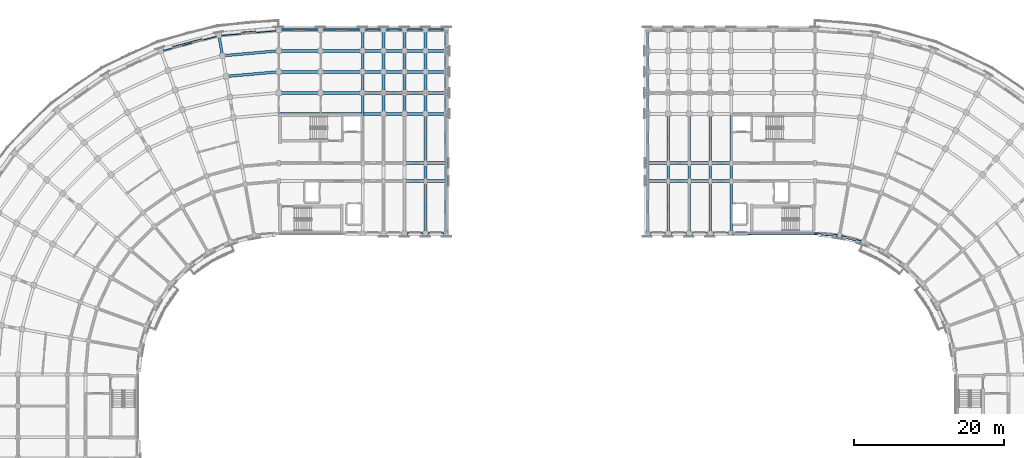
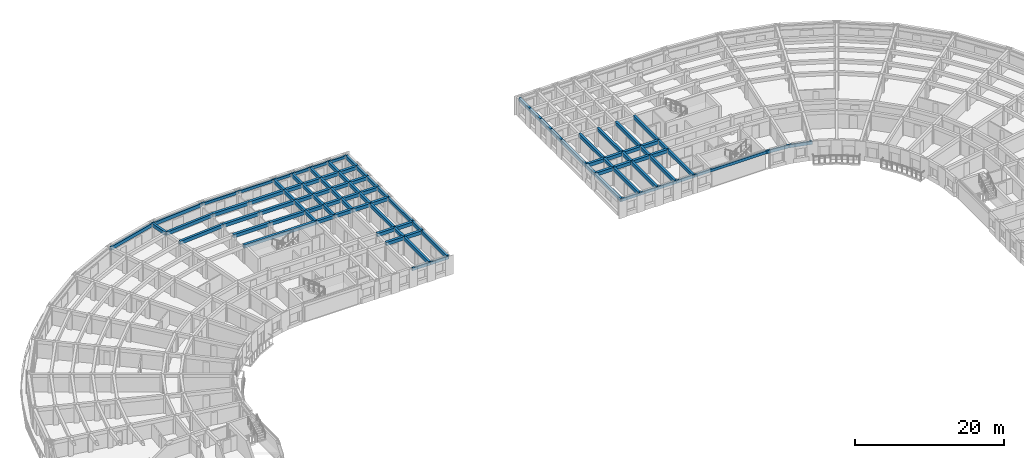
# One storey, part 10 of 57: 100 beams.
"""IFC4 building model written with IfcOpenShell, lengths in metres."""

from ifc_helpers import new_model, si_unit, direction, frame, origin, origin_2d, place, context, subcontext, project, spatial, rectangle, extrude, material, material_profile, profile_set, type_object, element, save


model = new_model("IFC4")

# Units and contexts
model_context = context("Model", 3, precision=1e-05, world=origin(), true_north=direction((0.0, 1.0)))
body_context = subcontext(model_context, "Body", "Model", "MODEL_VIEW")
ifc_project = project(units=[si_unit("LENGTHUNIT", "METRE"), si_unit("AREAUNIT", "SQUARE_METRE"), si_unit("VOLUMEUNIT", "CUBIC_METRE"), si_unit("PLANEANGLEUNIT", "RADIAN"), si_unit("MASSUNIT", "GRAM", prefix="KILO")], contexts=[model_context])

# Site, building, storey
site_placement = place(None, origin())
site = spatial("IfcSite", under=ifc_project, at=site_placement, CompositionType="ELEMENT")
building_placement = place(site_placement, origin())
building = spatial("IfcBuilding", under=site, at=building_placement, Name="Kiranvali Square Residences", CompositionType="ELEMENT")
storey_placement = place(building_placement, frame((0.0, 0.0, 24.449951171875)))
storey = spatial("IfcBuildingStorey", under=building, at=storey_placement, Name="L07", CompositionType="ELEMENT", Elevation=24.449951171875)

# Beams
ifc_material_1 = material(Name="Concrete M40 (40 MPa)", Category="concrete")
ifc_material_profile_1 = material_profile(ifc_material_1, rectangle(XDim=0.35009765625, YDim=0.550048828125, at=origin_2d()), Name="RC 350x550")
ifc_profile_set_1 = profile_set([ifc_material_profile_1], Name="Concrete M40 (40 MPa)")
beam_type_1 = type_object("IfcBeamType", Name="BM-M40-350x550", PredefinedType="BEAM", material=ifc_profile_set_1)
beam_1_placement = place(storey_placement, frame((48.199951171875, 128.199951171875, 2.655029296875), z_axis=(-0.996194658198, -0.087156198737, 0.0), x_axis=(0.087156198737, -0.996194658198, 0.0)))
element("IfcBeam", 1, at=beam_1_placement, inside=storey, type_object=beam_type_1, Name="L07 beam BM-A-L07-C00-R5", PredefinedType="BEAM", context=body_context, shape_type="SweptSolid", body=[
    extrude(rectangle(XDim=0.35009765625, YDim=0.550048828125, at=origin_2d()), origin(), (0.0, 0.0, 1.0), 7.042236328125),
])
beam_2_placement = place(storey_placement, frame((48.199951171875, 131.0, 2.655029296875), z_axis=(-0.996195195417, -0.087150058103, 0.0), x_axis=(0.087150058103, -0.996195195417, 0.0)))
element("IfcBeam", 2, at=beam_2_placement, inside=storey, type_object=beam_type_1, Name="L07 beam BM-A-L07-C00-R6", PredefinedType="BEAM", context=body_context, shape_type="SweptSolid", body=[
    extrude(rectangle(XDim=0.35009765625, YDim=0.550048828125, at=origin_2d()), origin(), (0.0, 0.0, 1.0), 7.530029296875),
])
for number, where, z_axis, x_axis, name in (
    (3, (40.698486328125, 130.34375, 2.655029296875), (-0.173695795656, 0.984799355489, 0.0), (-0.984799355489, -0.173695795656, 0.0), "L07 beam BM-A-L07-RAD01-67"),
    (4, (59.39990234375, 122.60009765625, 2.655029296875), (0.0, 1.0, 0.0), (-1.0, 0.0, 0.0), "L07 beam BM-A-L07-A1T1-34"),
):
    element("IfcBeam", number, at=place(storey_placement, frame(where, z_axis=z_axis, x_axis=x_axis)), inside=storey, type_object=beam_type_1, Name=name, PredefinedType="BEAM", context=body_context, shape_type="SweptSolid", body=[
        extrude(rectangle(XDim=0.35009765625, YDim=0.550048828125, at=origin_2d()), origin(), (0.0, 0.0, 1.0), 2.7998046875),
    ])
for number, where, z_axis, x_axis, name in (
    (5, (59.39990234375, 125.39990234375, 2.655029296875), (0.0, 1.0, 0.0), (-1.0, 0.0, 0.0), "L07 beam BM-A-L07-A1T1-45"),
    (6, (59.39990234375, 128.199951171875, 2.655029296875), (0.0, 1.0, 0.0), (-1.0, 0.0, 0.0), "L07 beam BM-A-L07-A1T1-56"),
    (7, (59.39990234375, 131.0, 2.655029296875), (0.0, 1.0, 0.0), (-1.0, 0.0, 0.0), "L07 beam BM-A-L07-A1T1-67"),
):
    element("IfcBeam", number, at=place(storey_placement, frame(where, z_axis=z_axis, x_axis=x_axis)), inside=storey, type_object=beam_type_1, Name=name, PredefinedType="BEAM", context=body_context, shape_type="SweptSolid", body=[
        extrude(rectangle(XDim=0.35009765625, YDim=0.550048828125, at=origin_2d()), origin(), (0.0, 0.0, 1.0), 2.800048828125),
    ])
beam_3_placement = place(storey_placement, frame((62.199951171875, 122.60009765625, 2.655029296875), z_axis=(0.0, 1.0, 0.0), x_axis=(-1.0, 0.0, 0.0)))
element("IfcBeam", 8, at=beam_3_placement, inside=storey, type_object=beam_type_1, Name="L07 beam BM-A-L07-A1T2-34", PredefinedType="BEAM", context=body_context, shape_type="SweptSolid", body=[
    extrude(rectangle(XDim=0.35009765625, YDim=0.550048828125, at=origin_2d()), origin(), (0.0, 0.0, 1.0), 2.7998046875),
])
for number, where, z_axis, x_axis, name in (
    (9, (62.199951171875, 125.39990234375, 2.655029296875), (0.0, 1.0, 0.0), (-1.0, 0.0, 0.0), "L07 beam BM-A-L07-A1T2-45"),
    (10, (62.199951171875, 128.199951171875, 2.655029296875), (0.0, 1.0, 0.0), (-1.0, 0.0, 0.0), "L07 beam BM-A-L07-A1T2-56"),
    (11, (62.199951171875, 131.0, 2.655029296875), (0.0, 1.0, 0.0), (-1.0, 0.0, 0.0), "L07 beam BM-A-L07-A1T2-67"),
):
    element("IfcBeam", number, at=place(storey_placement, frame(where, z_axis=z_axis, x_axis=x_axis)), inside=storey, type_object=beam_type_1, Name=name, PredefinedType="BEAM", context=body_context, shape_type="SweptSolid", body=[
        extrude(rectangle(XDim=0.35009765625, YDim=0.550048828125, at=origin_2d()), origin(), (0.0, 0.0, 1.0), 2.800048828125),
    ])
beam_4_placement = place(storey_placement, frame((65.0, 122.60009765625, 2.655029296875), z_axis=(0.0, 1.0, 0.0), x_axis=(-1.0, 0.0, 0.0)))
element("IfcBeam", 12, at=beam_4_placement, inside=storey, type_object=beam_type_1, Name="L07 beam BM-A-L07-A1T3-34", PredefinedType="BEAM", context=body_context, shape_type="SweptSolid", body=[
    extrude(rectangle(XDim=0.35009765625, YDim=0.550048828125, at=origin_2d()), origin(), (0.0, 0.0, 1.0), 2.7998046875),
])
for number, where, z_axis, x_axis, name in (
    (13, (65.0, 125.39990234375, 2.655029296875), (0.0, 1.0, 0.0), (-1.0, 0.0, 0.0), "L07 beam BM-A-L07-A1T3-45"),
    (14, (65.0, 128.199951171875, 2.655029296875), (0.0, 1.0, 0.0), (-1.0, 0.0, 0.0), "L07 beam BM-A-L07-A1T3-56"),
    (15, (65.0, 131.0, 2.655029296875), (0.0, 1.0, 0.0), (-1.0, 0.0, 0.0), "L07 beam BM-A-L07-A1T3-67"),
):
    element("IfcBeam", number, at=place(storey_placement, frame(where, z_axis=z_axis, x_axis=x_axis)), inside=storey, type_object=beam_type_1, Name=name, PredefinedType="BEAM", context=body_context, shape_type="SweptSolid", body=[
        extrude(rectangle(XDim=0.35009765625, YDim=0.550048828125, at=origin_2d()), origin(), (0.0, 0.0, 1.0), 2.800048828125),
    ])
beam_5_placement = place(storey_placement, frame((67.800048828125, 106.60009765625, 2.655029296875), z_axis=(0.0, 1.0, 0.0), x_axis=(-1.0, 0.0, 0.0)))
element("IfcBeam", 16, at=beam_5_placement, inside=storey, type_object=beam_type_1, Name="L07 beam BM-A-L07-A1T4-01", PredefinedType="BEAM", context=body_context, shape_type="SweptSolid", body=[
    extrude(rectangle(XDim=0.35009765625, YDim=0.550048828125, at=origin_2d()), origin(), (0.0, 0.0, 1.0), 7.0),
])
beam_6_placement = place(storey_placement, frame((67.800048828125, 113.60009765625, 2.655029296875), z_axis=(0.0, 1.0, 0.0), x_axis=(-1.0, 0.0, 0.0)))
element("IfcBeam", 17, at=beam_6_placement, inside=storey, type_object=beam_type_1, Name="L07 beam BM-A-L07-A1T4-12", PredefinedType="BEAM", context=body_context, shape_type="SweptSolid", body=[
    extrude(rectangle(XDim=0.35009765625, YDim=0.550048828125, at=origin_2d()), origin(), (0.0, 0.0, 1.0), 2.39990234375),
])
beam_7_placement = place(storey_placement, frame((67.800048828125, 116.0, 2.655029296875), z_axis=(0.0, 1.0, 0.0), x_axis=(-1.0, 0.0, 0.0)))
element("IfcBeam", 18, at=beam_7_placement, inside=storey, type_object=beam_type_1, Name="L07 beam BM-A-L07-A1T4-23", PredefinedType="BEAM", context=body_context, shape_type="SweptSolid", body=[
    extrude(rectangle(XDim=0.35009765625, YDim=0.550048828125, at=origin_2d()), origin(), (0.0, 0.0, 1.0), 6.60009765625),
])
beam_8_placement = place(storey_placement, frame((67.800048828125, 122.60009765625, 2.655029296875), z_axis=(0.0, 1.0, 0.0), x_axis=(-1.0, 0.0, 0.0)))
element("IfcBeam", 19, at=beam_8_placement, inside=storey, type_object=beam_type_1, Name="L07 beam BM-A-L07-A1T4-34", PredefinedType="BEAM", context=body_context, shape_type="SweptSolid", body=[
    extrude(rectangle(XDim=0.35009765625, YDim=0.550048828125, at=origin_2d()), origin(), (0.0, 0.0, 1.0), 2.7998046875),
])
for number, where, z_axis, x_axis, name in (
    (20, (67.800048828125, 125.39990234375, 2.655029296875), (0.0, 1.0, 0.0), (-1.0, 0.0, 0.0), "L07 beam BM-A-L07-A1T4-45"),
    (21, (67.800048828125, 128.199951171875, 2.655029296875), (0.0, 1.0, 0.0), (-1.0, 0.0, 0.0), "L07 beam BM-A-L07-A1T4-56"),
    (22, (67.800048828125, 131.0, 2.655029296875), (0.0, 1.0, 0.0), (-1.0, 0.0, 0.0), "L07 beam BM-A-L07-A1T4-67"),
):
    element("IfcBeam", number, at=place(storey_placement, frame(where, z_axis=z_axis, x_axis=x_axis)), inside=storey, type_object=beam_type_1, Name=name, PredefinedType="BEAM", context=body_context, shape_type="SweptSolid", body=[
        extrude(rectangle(XDim=0.35009765625, YDim=0.550048828125, at=origin_2d()), origin(), (0.0, 0.0, 1.0), 2.800048828125),
    ])
beam_9_placement = place(storey_placement, frame((70.60009765625, 106.60009765625, 2.655029296875), z_axis=(0.0, 1.0, 0.0), x_axis=(-1.0, 0.0, 0.0)))
element("IfcBeam", 23, at=beam_9_placement, inside=storey, type_object=beam_type_1, Name="L07 beam BM-A-L07-A1T5-01", PredefinedType="BEAM", context=body_context, shape_type="SweptSolid", body=[
    extrude(rectangle(XDim=0.35009765625, YDim=0.550048828125, at=origin_2d()), origin(), (0.0, 0.0, 1.0), 7.0),
])
beam_10_placement = place(storey_placement, frame((70.60009765625, 113.60009765625, 2.655029296875), z_axis=(0.0, 1.0, 0.0), x_axis=(-1.0, 0.0, 0.0)))
element("IfcBeam", 24, at=beam_10_placement, inside=storey, type_object=beam_type_1, Name="L07 beam BM-A-L07-A1T5-12", PredefinedType="BEAM", context=body_context, shape_type="SweptSolid", body=[
    extrude(rectangle(XDim=0.35009765625, YDim=0.550048828125, at=origin_2d()), origin(), (0.0, 0.0, 1.0), 2.39990234375),
])
beam_11_placement = place(storey_placement, frame((70.60009765625, 116.0, 2.655029296875), z_axis=(0.0, 1.0, 0.0), x_axis=(-1.0, 0.0, 0.0)))
element("IfcBeam", 25, at=beam_11_placement, inside=storey, type_object=beam_type_1, Name="L07 beam BM-A-L07-A1T5-23", PredefinedType="BEAM", context=body_context, shape_type="SweptSolid", body=[
    extrude(rectangle(XDim=0.35009765625, YDim=0.550048828125, at=origin_2d()), origin(), (0.0, 0.0, 1.0), 6.60009765625),
])
beam_12_placement = place(storey_placement, frame((70.60009765625, 122.60009765625, 2.655029296875), z_axis=(0.0, 1.0, 0.0), x_axis=(-1.0, 0.0, 0.0)))
element("IfcBeam", 26, at=beam_12_placement, inside=storey, type_object=beam_type_1, Name="L07 beam BM-A-L07-A1T5-34", PredefinedType="BEAM", context=body_context, shape_type="SweptSolid", body=[
    extrude(rectangle(XDim=0.35009765625, YDim=0.550048828125, at=origin_2d()), origin(), (0.0, 0.0, 1.0), 2.7998046875),
])
for number, where, z_axis, x_axis, name in (
    (27, (70.60009765625, 125.39990234375, 2.655029296875), (0.0, 1.0, 0.0), (-1.0, 0.0, 0.0), "L07 beam BM-A-L07-A1T5-45"),
    (28, (70.60009765625, 128.199951171875, 2.655029296875), (0.0, 1.0, 0.0), (-1.0, 0.0, 0.0), "L07 beam BM-A-L07-A1T5-56"),
    (29, (70.60009765625, 131.0, 2.655029296875), (0.0, 1.0, 0.0), (-1.0, 0.0, 0.0), "L07 beam BM-A-L07-A1T5-67"),
):
    element("IfcBeam", number, at=place(storey_placement, frame(where, z_axis=z_axis, x_axis=x_axis)), inside=storey, type_object=beam_type_1, Name=name, PredefinedType="BEAM", context=body_context, shape_type="SweptSolid", body=[
        extrude(rectangle(XDim=0.35009765625, YDim=0.550048828125, at=origin_2d()), origin(), (0.0, 0.0, 1.0), 2.800048828125),
    ])
beam_13_placement = place(storey_placement, frame((108.60009765625, 106.60009765625, 2.655029296875), z_axis=(0.0, 1.0, 0.0), x_axis=(-1.0, 0.0, 0.0)))
element("IfcBeam", 30, at=beam_13_placement, inside=storey, type_object=beam_type_1, Name="L07 beam BM-B-L07-A1T1-01", PredefinedType="BEAM", context=body_context, shape_type="SweptSolid", body=[
    extrude(rectangle(XDim=0.35009765625, YDim=0.550048828125, at=origin_2d()), origin(), (0.0, 0.0, 1.0), 7.0),
])
beam_14_placement = place(storey_placement, frame((108.60009765625, 113.60009765625, 2.655029296875), z_axis=(0.0, 1.0, 0.0), x_axis=(-1.0, 0.0, 0.0)))
element("IfcBeam", 31, at=beam_14_placement, inside=storey, type_object=beam_type_1, Name="L07 beam BM-B-L07-A1T1-12", PredefinedType="BEAM", context=body_context, shape_type="SweptSolid", body=[
    extrude(rectangle(XDim=0.35009765625, YDim=0.550048828125, at=origin_2d()), origin(), (0.0, 0.0, 1.0), 2.39990234375),
])
beam_15_placement = place(storey_placement, frame((108.60009765625, 116.0, 2.655029296875), z_axis=(0.0, 1.0, 0.0), x_axis=(-1.0, 0.0, 0.0)))
element("IfcBeam", 32, at=beam_15_placement, inside=storey, type_object=beam_type_1, Name="L07 beam BM-B-L07-A1T1-23", PredefinedType="BEAM", context=body_context, shape_type="SweptSolid", body=[
    extrude(rectangle(XDim=0.35009765625, YDim=0.550048828125, at=origin_2d()), origin(), (0.0, 0.0, 1.0), 6.60009765625),
])
beam_16_placement = place(storey_placement, frame((105.800048828125, 106.60009765625, 2.655029296875), z_axis=(0.0, 1.0, 0.0), x_axis=(-1.0, 0.0, 0.0)))
element("IfcBeam", 33, at=beam_16_placement, inside=storey, type_object=beam_type_1, Name="L07 beam BM-B-L07-A1T2-01", PredefinedType="BEAM", context=body_context, shape_type="SweptSolid", body=[
    extrude(rectangle(XDim=0.35009765625, YDim=0.550048828125, at=origin_2d()), origin(), (0.0, 0.0, 1.0), 7.0),
])
beam_17_placement = place(storey_placement, frame((105.800048828125, 113.60009765625, 2.655029296875), z_axis=(0.0, 1.0, 0.0), x_axis=(-1.0, 0.0, 0.0)))
element("IfcBeam", 34, at=beam_17_placement, inside=storey, type_object=beam_type_1, Name="L07 beam BM-B-L07-A1T2-12", PredefinedType="BEAM", context=body_context, shape_type="SweptSolid", body=[
    extrude(rectangle(XDim=0.35009765625, YDim=0.550048828125, at=origin_2d()), origin(), (0.0, 0.0, 1.0), 2.39990234375),
])
beam_18_placement = place(storey_placement, frame((105.800048828125, 116.0, 2.655029296875), z_axis=(0.0, 1.0, 0.0), x_axis=(-1.0, 0.0, 0.0)))
element("IfcBeam", 35, at=beam_18_placement, inside=storey, type_object=beam_type_1, Name="L07 beam BM-B-L07-A1T2-23", PredefinedType="BEAM", context=body_context, shape_type="SweptSolid", body=[
    extrude(rectangle(XDim=0.35009765625, YDim=0.550048828125, at=origin_2d()), origin(), (0.0, 0.0, 1.0), 6.60009765625),
])
beam_19_placement = place(storey_placement, frame((103.0, 106.60009765625, 2.655029296875), z_axis=(0.0, 1.0, 0.0), x_axis=(-1.0, 0.0, 0.0)))
element("IfcBeam", 36, at=beam_19_placement, inside=storey, type_object=beam_type_1, Name="L07 beam BM-B-L07-A1T3-01", PredefinedType="BEAM", context=body_context, shape_type="SweptSolid", body=[
    extrude(rectangle(XDim=0.35009765625, YDim=0.550048828125, at=origin_2d()), origin(), (0.0, 0.0, 1.0), 7.0),
])
beam_20_placement = place(storey_placement, frame((103.0, 113.60009765625, 2.655029296875), z_axis=(0.0, 1.0, 0.0), x_axis=(-1.0, 0.0, 0.0)))
element("IfcBeam", 37, at=beam_20_placement, inside=storey, type_object=beam_type_1, Name="L07 beam BM-B-L07-A1T3-12", PredefinedType="BEAM", context=body_context, shape_type="SweptSolid", body=[
    extrude(rectangle(XDim=0.35009765625, YDim=0.550048828125, at=origin_2d()), origin(), (0.0, 0.0, 1.0), 2.39990234375),
])
beam_21_placement = place(storey_placement, frame((103.0, 116.0, 2.655029296875), z_axis=(0.0, 1.0, 0.0), x_axis=(-1.0, 0.0, 0.0)))
element("IfcBeam", 38, at=beam_21_placement, inside=storey, type_object=beam_type_1, Name="L07 beam BM-B-L07-A1T3-23", PredefinedType="BEAM", context=body_context, shape_type="SweptSolid", body=[
    extrude(rectangle(XDim=0.35009765625, YDim=0.550048828125, at=origin_2d()), origin(), (0.0, 0.0, 1.0), 6.60009765625),
])
beam_22_placement = place(storey_placement, frame((100.199951171875, 106.60009765625, 2.655029296875), z_axis=(0.0, 1.0, 0.0), x_axis=(-1.0, 0.0, 0.0)))
element("IfcBeam", 39, at=beam_22_placement, inside=storey, type_object=beam_type_1, Name="L07 beam BM-B-L07-A1T4-01", PredefinedType="BEAM", context=body_context, shape_type="SweptSolid", body=[
    extrude(rectangle(XDim=0.35009765625, YDim=0.550048828125, at=origin_2d()), origin(), (0.0, 0.0, 1.0), 7.0),
])
beam_23_placement = place(storey_placement, frame((100.199951171875, 113.60009765625, 2.655029296875), z_axis=(0.0, 1.0, 0.0), x_axis=(-1.0, 0.0, 0.0)))
element("IfcBeam", 40, at=beam_23_placement, inside=storey, type_object=beam_type_1, Name="L07 beam BM-B-L07-A1T4-12", PredefinedType="BEAM", context=body_context, shape_type="SweptSolid", body=[
    extrude(rectangle(XDim=0.35009765625, YDim=0.550048828125, at=origin_2d()), origin(), (0.0, 0.0, 1.0), 2.39990234375),
])
beam_24_placement = place(storey_placement, frame((100.199951171875, 116.0, 2.655029296875), z_axis=(0.0, 1.0, 0.0), x_axis=(-1.0, 0.0, 0.0)))
element("IfcBeam", 41, at=beam_24_placement, inside=storey, type_object=beam_type_1, Name="L07 beam BM-B-L07-A1T4-23", PredefinedType="BEAM", context=body_context, shape_type="SweptSolid", body=[
    extrude(rectangle(XDim=0.35009765625, YDim=0.550048828125, at=origin_2d()), origin(), (0.0, 0.0, 1.0), 6.60009765625),
])
beam_25_placement = place(storey_placement, frame((97.39990234375, 106.60009765625, 2.655029296875), z_axis=(0.0, 1.0, 0.0), x_axis=(-1.0, 0.0, 0.0)))
element("IfcBeam", 42, at=beam_25_placement, inside=storey, type_object=beam_type_1, Name="L07 beam BM-B-L07-A1T5-01", PredefinedType="BEAM", context=body_context, shape_type="SweptSolid", body=[
    extrude(rectangle(XDim=0.35009765625, YDim=0.550048828125, at=origin_2d()), origin(), (0.0, 0.0, 1.0), 7.0),
])
beam_26_placement = place(storey_placement, frame((97.39990234375, 113.60009765625, 2.655029296875), z_axis=(0.0, 1.0, 0.0), x_axis=(-1.0, 0.0, 0.0)))
element("IfcBeam", 43, at=beam_26_placement, inside=storey, type_object=beam_type_1, Name="L07 beam BM-B-L07-A1T5-12", PredefinedType="BEAM", context=body_context, shape_type="SweptSolid", body=[
    extrude(rectangle(XDim=0.35009765625, YDim=0.550048828125, at=origin_2d()), origin(), (0.0, 0.0, 1.0), 2.39990234375),
])
beam_27_placement = place(storey_placement, frame((97.39990234375, 116.0, 2.655029296875), z_axis=(0.0, 1.0, 0.0), x_axis=(-1.0, 0.0, 0.0)))
element("IfcBeam", 44, at=beam_27_placement, inside=storey, type_object=beam_type_1, Name="L07 beam BM-B-L07-A1T5-23", PredefinedType="BEAM", context=body_context, shape_type="SweptSolid", body=[
    extrude(rectangle(XDim=0.35009765625, YDim=0.550048828125, at=origin_2d()), origin(), (0.0, 0.0, 1.0), 6.60009765625),
])
beam_28_placement = place(storey_placement, frame((97.39990234375, 122.60009765625, 2.655029296875), z_axis=(0.0, 1.0, 0.0), x_axis=(-1.0, 0.0, 0.0)))
element("IfcBeam", 45, at=beam_28_placement, inside=storey, type_object=beam_type_1, Name="L07 beam BM-B-L07-A1T5-34", PredefinedType="BEAM", context=body_context, shape_type="SweptSolid", body=[
    extrude(rectangle(XDim=0.35009765625, YDim=0.550048828125, at=origin_2d()), origin(), (0.0, 0.0, 1.0), 2.7998046875),
])
for number, where, z_axis, x_axis, name in (
    (46, (97.39990234375, 125.39990234375, 2.655029296875), (0.0, 1.0, 0.0), (-1.0, 0.0, 0.0), "L07 beam BM-B-L07-A1T5-45"),
    (47, (97.39990234375, 128.199951171875, 2.655029296875), (0.0, 1.0, 0.0), (-1.0, 0.0, 0.0), "L07 beam BM-B-L07-A1T5-56"),
    (48, (97.39990234375, 131.0, 2.655029296875), (0.0, 1.0, 0.0), (-1.0, 0.0, 0.0), "L07 beam BM-B-L07-A1T5-67"),
):
    element("IfcBeam", number, at=place(storey_placement, frame(where, z_axis=z_axis, x_axis=x_axis)), inside=storey, type_object=beam_type_1, Name=name, PredefinedType="BEAM", context=body_context, shape_type="SweptSolid", body=[
        extrude(rectangle(XDim=0.35009765625, YDim=0.550048828125, at=origin_2d()), origin(), (0.0, 0.0, 1.0), 2.800048828125),
    ])
ifc_material_2 = material(Name="Concrete M45 (45 MPa)", Category="concrete")
ifc_material_profile_2 = material_profile(ifc_material_2, rectangle(XDim=0.39990234375, YDim=0.550048828125, at=origin_2d()), Name="RC 400x550")
ifc_profile_set_2 = profile_set([ifc_material_profile_2], Name="Concrete M45 (45 MPa)")
beam_type_2 = type_object("IfcBeamType", Name="BM-M45-400x550", PredefinedType="BEAM", material=ifc_profile_set_2)
for number, where, z_axis, x_axis, name in (
    (49, (65.0, 113.60009765625, 2.655029296875), (1.0, 0.0, 0.0), (0.0, 1.0, 0.0), "L07 beam BM-A-L07-A1U3-R1"),
    (50, (67.800048828125, 113.60009765625, 2.655029296875), (1.0, 0.0, 0.0), (0.0, 1.0, 0.0), "L07 beam BM-A-L07-A1U4-R1"),
    (51, (65.0, 116.0, 2.655029296875), (1.0, 0.0, 0.0), (0.0, 1.0, 0.0), "L07 beam BM-A-L07-A1U3-R2"),
    (52, (67.800048828125, 116.0, 2.655029296875), (1.0, 0.0, 0.0), (0.0, 1.0, 0.0), "L07 beam BM-A-L07-A1U4-R2"),
):
    element("IfcBeam", number, at=place(storey_placement, frame(where, z_axis=z_axis, x_axis=x_axis)), inside=storey, type_object=beam_type_2, Name=name, PredefinedType="BEAM", context=body_context, shape_type="SweptSolid", body=[
        extrude(rectangle(XDim=0.39990234375, YDim=0.550048828125, at=origin_2d()), origin(), (0.0, 0.0, 1.0), 2.800048828125),
    ])
beam_29_placement = place(storey_placement, frame((48.199951171875, 122.60009765625, 2.655029296875), z_axis=(1.0, 0.0, 0.0), x_axis=(0.0, 1.0, 0.0)))
element("IfcBeam", 53, at=beam_29_placement, inside=storey, type_object=beam_type_2, Name="L07 beam BM-A-L07-A1U0-R3", PredefinedType="BEAM", context=body_context, shape_type="SweptSolid", body=[
    extrude(rectangle(XDim=0.39990234375, YDim=0.550048828125, at=origin_2d()), origin(), (0.0, 0.0, 1.0), 11.199951171875),
])
for number, where, z_axis, x_axis, name in (
    (54, (59.39990234375, 122.60009765625, 2.655029296875), (1.0, 0.0, 0.0), (0.0, 1.0, 0.0), "L07 beam BM-A-L07-A1U1-R3"),
    (55, (62.199951171875, 122.60009765625, 2.655029296875), (1.0, 0.0, 0.0), (0.0, 1.0, 0.0), "L07 beam BM-A-L07-A1U2-R3"),
    (56, (65.0, 122.60009765625, 2.655029296875), (1.0, 0.0, 0.0), (0.0, 1.0, 0.0), "L07 beam BM-A-L07-A1U3-R3"),
    (57, (67.800048828125, 122.60009765625, 2.655029296875), (1.0, 0.0, 0.0), (0.0, 1.0, 0.0), "L07 beam BM-A-L07-A1U4-R3"),
):
    element("IfcBeam", number, at=place(storey_placement, frame(where, z_axis=z_axis, x_axis=x_axis)), inside=storey, type_object=beam_type_2, Name=name, PredefinedType="BEAM", context=body_context, shape_type="SweptSolid", body=[
        extrude(rectangle(XDim=0.39990234375, YDim=0.550048828125, at=origin_2d()), origin(), (0.0, 0.0, 1.0), 2.800048828125),
    ])
beam_30_placement = place(storey_placement, frame((48.199951171875, 125.39990234375, 2.655029296875), z_axis=(1.0, 0.0, 0.0), x_axis=(0.0, 1.0, 0.0)))
element("IfcBeam", 58, at=beam_30_placement, inside=storey, type_object=beam_type_2, Name="L07 beam BM-A-L07-A1U0-R4", PredefinedType="BEAM", context=body_context, shape_type="SweptSolid", body=[
    extrude(rectangle(XDim=0.39990234375, YDim=0.550048828125, at=origin_2d()), origin(), (0.0, 0.0, 1.0), 5.60009765625),
])
beam_31_placement = place(storey_placement, frame((53.800048828125, 125.39990234375, 2.655029296875), z_axis=(1.0, 0.0, 0.0), x_axis=(0.0, 1.0, 0.0)))
element("IfcBeam", 59, at=beam_31_placement, inside=storey, type_object=beam_type_2, Name="L07 beam BM-A-L07-A1U1-R4", PredefinedType="BEAM", context=body_context, shape_type="SweptSolid", body=[
    extrude(rectangle(XDim=0.39990234375, YDim=0.550048828125, at=origin_2d()), origin(), (0.0, 0.0, 1.0), 5.599853515625),
])
for number, where, z_axis, x_axis, name in (
    (60, (59.39990234375, 125.39990234375, 2.655029296875), (1.0, 0.0, 0.0), (0.0, 1.0, 0.0), "L07 beam BM-A-L07-A1U2-R4"),
    (61, (62.199951171875, 125.39990234375, 2.655029296875), (1.0, 0.0, 0.0), (0.0, 1.0, 0.0), "L07 beam BM-A-L07-A1U3-R4"),
    (62, (65.0, 125.39990234375, 2.655029296875), (1.0, 0.0, 0.0), (0.0, 1.0, 0.0), "L07 beam BM-A-L07-A1U4-R4"),
    (63, (67.800048828125, 125.39990234375, 2.655029296875), (1.0, 0.0, 0.0), (0.0, 1.0, 0.0), "L07 beam BM-A-L07-A1U5-R4"),
):
    element("IfcBeam", number, at=place(storey_placement, frame(where, z_axis=z_axis, x_axis=x_axis)), inside=storey, type_object=beam_type_2, Name=name, PredefinedType="BEAM", context=body_context, shape_type="SweptSolid", body=[
        extrude(rectangle(XDim=0.39990234375, YDim=0.550048828125, at=origin_2d()), origin(), (0.0, 0.0, 1.0), 2.800048828125),
    ])
beam_32_placement = place(storey_placement, frame((48.199951171875, 128.199951171875, 2.655029296875), z_axis=(1.0, 0.0, 0.0), x_axis=(0.0, 1.0, 0.0)))
element("IfcBeam", 64, at=beam_32_placement, inside=storey, type_object=beam_type_2, Name="L07 beam BM-A-L07-A1U0-R5", PredefinedType="BEAM", context=body_context, shape_type="SweptSolid", body=[
    extrude(rectangle(XDim=0.39990234375, YDim=0.550048828125, at=origin_2d()), origin(), (0.0, 0.0, 1.0), 5.60009765625),
])
beam_33_placement = place(storey_placement, frame((53.800048828125, 128.199951171875, 2.655029296875), z_axis=(1.0, 0.0, 0.0), x_axis=(0.0, 1.0, 0.0)))
element("IfcBeam", 65, at=beam_33_placement, inside=storey, type_object=beam_type_2, Name="L07 beam BM-A-L07-A1U1-R5", PredefinedType="BEAM", context=body_context, shape_type="SweptSolid", body=[
    extrude(rectangle(XDim=0.39990234375, YDim=0.550048828125, at=origin_2d()), origin(), (0.0, 0.0, 1.0), 5.599853515625),
])
for number, where, z_axis, x_axis, name in (
    (66, (59.39990234375, 128.199951171875, 2.655029296875), (1.0, 0.0, 0.0), (0.0, 1.0, 0.0), "L07 beam BM-A-L07-A1U2-R5"),
    (67, (62.199951171875, 128.199951171875, 2.655029296875), (1.0, 0.0, 0.0), (0.0, 1.0, 0.0), "L07 beam BM-A-L07-A1U3-R5"),
    (68, (65.0, 128.199951171875, 2.655029296875), (1.0, 0.0, 0.0), (0.0, 1.0, 0.0), "L07 beam BM-A-L07-A1U4-R5"),
    (69, (67.800048828125, 128.199951171875, 2.655029296875), (1.0, 0.0, 0.0), (0.0, 1.0, 0.0), "L07 beam BM-A-L07-A1U5-R5"),
):
    element("IfcBeam", number, at=place(storey_placement, frame(where, z_axis=z_axis, x_axis=x_axis)), inside=storey, type_object=beam_type_2, Name=name, PredefinedType="BEAM", context=body_context, shape_type="SweptSolid", body=[
        extrude(rectangle(XDim=0.39990234375, YDim=0.550048828125, at=origin_2d()), origin(), (0.0, 0.0, 1.0), 2.800048828125),
    ])
beam_34_placement = place(storey_placement, frame((48.199951171875, 131.0, 2.655029296875), z_axis=(1.0, 0.0, 0.0), x_axis=(0.0, 1.0, 0.0)))
element("IfcBeam", 70, at=beam_34_placement, inside=storey, type_object=beam_type_2, Name="L07 beam BM-A-L07-A1U0-R6", PredefinedType="BEAM", context=body_context, shape_type="SweptSolid", body=[
    extrude(rectangle(XDim=0.39990234375, YDim=0.550048828125, at=origin_2d()), origin(), (0.0, 0.0, 1.0), 5.60009765625),
])
beam_35_placement = place(storey_placement, frame((53.800048828125, 131.0, 2.655029296875), z_axis=(1.0, 0.0, 0.0), x_axis=(0.0, 1.0, 0.0)))
element("IfcBeam", 71, at=beam_35_placement, inside=storey, type_object=beam_type_2, Name="L07 beam BM-A-L07-A1U1-R6", PredefinedType="BEAM", context=body_context, shape_type="SweptSolid", body=[
    extrude(rectangle(XDim=0.39990234375, YDim=0.550048828125, at=origin_2d()), origin(), (0.0, 0.0, 1.0), 5.599853515625),
])
for number, where, z_axis, x_axis, name in (
    (72, (59.39990234375, 131.0, 2.655029296875), (1.0, 0.0, 0.0), (0.0, 1.0, 0.0), "L07 beam BM-A-L07-A1U2-R6"),
    (73, (62.199951171875, 131.0, 2.655029296875), (1.0, 0.0, 0.0), (0.0, 1.0, 0.0), "L07 beam BM-A-L07-A1U3-R6"),
    (74, (65.0, 131.0, 2.655029296875), (1.0, 0.0, 0.0), (0.0, 1.0, 0.0), "L07 beam BM-A-L07-A1U4-R6"),
    (75, (67.800048828125, 131.0, 2.655029296875), (1.0, 0.0, 0.0), (0.0, 1.0, 0.0), "L07 beam BM-A-L07-A1U5-R6"),
    (76, (108.60009765625, 113.60009765625, 2.655029296875), (-1.0, 0.0, 0.0), (0.0, -1.0, 0.0), "L07 beam BM-B-L07-A1U1-R1"),
    (77, (105.800048828125, 113.60009765625, 2.655029296875), (-1.0, 0.0, 0.0), (0.0, -1.0, 0.0), "L07 beam BM-B-L07-A1U2-R1"),
    (78, (103.0, 113.60009765625, 2.655029296875), (-1.0, 0.0, 0.0), (0.0, -1.0, 0.0), "L07 beam BM-B-L07-A1U3-R1"),
    (79, (100.199951171875, 113.60009765625, 2.655029296875), (-1.0, 0.0, 0.0), (0.0, -1.0, 0.0), "L07 beam BM-B-L07-A1U4-R1"),
    (80, (108.60009765625, 116.0, 2.655029296875), (-1.0, 0.0, 0.0), (0.0, -1.0, 0.0), "L07 beam BM-B-L07-A1U1-R2"),
    (81, (105.800048828125, 116.0, 2.655029296875), (-1.0, 0.0, 0.0), (0.0, -1.0, 0.0), "L07 beam BM-B-L07-A1U2-R2"),
    (82, (103.0, 116.0, 2.655029296875), (-1.0, 0.0, 0.0), (0.0, -1.0, 0.0), "L07 beam BM-B-L07-A1U3-R2"),
    (83, (100.199951171875, 116.0, 2.655029296875), (-1.0, 0.0, 0.0), (0.0, -1.0, 0.0), "L07 beam BM-B-L07-A1U4-R2"),
):
    element("IfcBeam", number, at=place(storey_placement, frame(where, z_axis=z_axis, x_axis=x_axis)), inside=storey, type_object=beam_type_2, Name=name, PredefinedType="BEAM", context=body_context, shape_type="SweptSolid", body=[
        extrude(rectangle(XDim=0.39990234375, YDim=0.550048828125, at=origin_2d()), origin(), (0.0, 0.0, 1.0), 2.800048828125),
    ])
ifc_material_profile_3 = material_profile(ifc_material_1, rectangle(XDim=0.25, YDim=0.449951171875, at=origin_2d()), Name="RC 250x450")
ifc_profile_set_3 = profile_set([ifc_material_profile_3], Name="Concrete M40 (40 MPa)")
beam_type_3 = type_object("IfcBeamType", Name="SPN-M40-250x450", PredefinedType="SPANDREL", material=ifc_profile_set_3)
for number, where, z_axis, x_axis, name in (
    (84, (65.0, 106.60009765625, 2.705078125), (1.0, 0.0, 0.0), (0.0, 1.0, 0.0), "L07 beam BM-A-L07-A1U3-R0"),
    (85, (67.800048828125, 106.60009765625, 2.705078125), (1.0, 0.0, 0.0), (0.0, 1.0, 0.0), "L07 beam BM-A-L07-A1U4-R0"),
):
    element("IfcBeam", number, at=place(storey_placement, frame(where, z_axis=z_axis, x_axis=x_axis)), inside=storey, type_object=beam_type_3, Name=name, PredefinedType="SPANDREL", context=body_context, shape_type="SweptSolid", body=[
        extrude(rectangle(XDim=0.25, YDim=0.449951171875, at=origin_2d()), origin(), (0.0, 0.0, 1.0), 2.800048828125),
    ])
beam_36_placement = place(storey_placement, frame((48.199951171875, 133.800048828125, 2.705078125), z_axis=(1.0, 0.0, 0.0), x_axis=(0.0, 1.0, 0.0)))
element("IfcBeam", 86, at=beam_36_placement, inside=storey, type_object=beam_type_3, Name="L07 beam BM-A-L07-A1U0-R7", PredefinedType="SPANDREL", context=body_context, shape_type="SweptSolid", body=[
    extrude(rectangle(XDim=0.25, YDim=0.449951171875, at=origin_2d()), origin(), (0.0, 0.0, 1.0), 5.60009765625),
])
beam_37_placement = place(storey_placement, frame((53.800048828125, 133.800048828125, 2.705078125), z_axis=(1.0, 0.0, 0.0), x_axis=(0.0, 1.0, 0.0)))
element("IfcBeam", 87, at=beam_37_placement, inside=storey, type_object=beam_type_3, Name="L07 beam BM-A-L07-A1U1-R7", PredefinedType="SPANDREL", context=body_context, shape_type="SweptSolid", body=[
    extrude(rectangle(XDim=0.25, YDim=0.449951171875, at=origin_2d()), origin(), (0.0, 0.0, 1.0), 5.599853515625),
])
for number, where, z_axis, x_axis, name in (
    (88, (59.39990234375, 133.800048828125, 2.705078125), (1.0, 0.0, 0.0), (0.0, 1.0, 0.0), "L07 beam BM-A-L07-A1U2-R7"),
    (89, (62.199951171875, 133.800048828125, 2.705078125), (1.0, 0.0, 0.0), (0.0, 1.0, 0.0), "L07 beam BM-A-L07-A1U3-R7"),
    (90, (65.0, 133.800048828125, 2.705078125), (1.0, 0.0, 0.0), (0.0, 1.0, 0.0), "L07 beam BM-A-L07-A1U4-R7"),
    (91, (67.800048828125, 133.800048828125, 2.705078125), (1.0, 0.0, 0.0), (0.0, 1.0, 0.0), "L07 beam BM-A-L07-A1U5-R7"),
):
    element("IfcBeam", number, at=place(storey_placement, frame(where, z_axis=z_axis, x_axis=x_axis)), inside=storey, type_object=beam_type_3, Name=name, PredefinedType="SPANDREL", context=body_context, shape_type="SweptSolid", body=[
        extrude(rectangle(XDim=0.25, YDim=0.449951171875, at=origin_2d()), origin(), (0.0, 0.0, 1.0), 2.800048828125),
    ])
beam_38_placement = place(storey_placement, frame((119.800048828125, 106.60009765625, 2.705078125), z_axis=(-1.0, 0.0, 0.0), x_axis=(0.0, -1.0, 0.0)))
element("IfcBeam", 92, at=beam_38_placement, inside=storey, type_object=beam_type_3, Name="L07 beam BM-B-L07-A1U0-R0", PredefinedType="SPANDREL", context=body_context, shape_type="SweptSolid", body=[
    extrude(rectangle(XDim=0.25, YDim=0.449951171875, at=origin_2d()), origin(), (0.0, 0.0, 1.0), 11.199951171875),
])
for number, where, z_axis, x_axis, name in (
    (93, (108.60009765625, 106.60009765625, 2.705078125), (-1.0, 0.0, 0.0), (0.0, -1.0, 0.0), "L07 beam BM-B-L07-A1U1-R0"),
    (94, (105.800048828125, 106.60009765625, 2.705078125), (-1.0, 0.0, 0.0), (0.0, -1.0, 0.0), "L07 beam BM-B-L07-A1U2-R0"),
    (95, (103.0, 106.60009765625, 2.705078125), (-1.0, 0.0, 0.0), (0.0, -1.0, 0.0), "L07 beam BM-B-L07-A1U3-R0"),
    (96, (100.199951171875, 106.60009765625, 2.705078125), (-1.0, 0.0, 0.0), (0.0, -1.0, 0.0), "L07 beam BM-B-L07-A1U4-R0"),
):
    element("IfcBeam", number, at=place(storey_placement, frame(where, z_axis=z_axis, x_axis=x_axis)), inside=storey, type_object=beam_type_3, Name=name, PredefinedType="SPANDREL", context=body_context, shape_type="SweptSolid", body=[
        extrude(rectangle(XDim=0.25, YDim=0.449951171875, at=origin_2d()), origin(), (0.0, 0.0, 1.0), 2.800048828125),
    ])
ifc_material_profile_4 = material_profile(ifc_material_1, rectangle(XDim=0.25, YDim=0.5, at=origin_2d()), Name="RC 250x500")
ifc_profile_set_4 = profile_set([ifc_material_profile_4], Name="Concrete M40 (40 MPa)")
beam_type_4 = type_object("IfcBeamType", Name="SPN-M40-250x500", PredefinedType="SPANDREL", material=ifc_profile_set_4)
beam_39_placement = place(storey_placement, frame((119.800048828125, 106.60009765625, 2.679931640625), z_axis=(0.996194040944, -0.087163253657, 0.0), x_axis=(0.087163253657, 0.996194040944, 0.0)))
element("IfcBeam", 97, at=beam_39_placement, inside=storey, type_object=beam_type_4, Name="L07 beam BM-B-L07-C00-R0", PredefinedType="SPANDREL", context=body_context, shape_type="SweptSolid", body=[
    extrude(rectangle(XDim=0.25, YDim=0.5, at=origin_2d()), origin(), (0.0, 0.0, 1.0), 3.277099609375),
])
beam_40_placement = place(storey_placement, frame((123.064697265625, 106.314453125, 2.679931640625), z_axis=(0.965925105099, -0.258821736607, 0.0), x_axis=(0.258821736607, 0.965925105099, 0.0)))
element("IfcBeam", 98, at=beam_40_placement, inside=storey, type_object=beam_type_4, Name="L07 beam BM-B-L07-C01-R0", PredefinedType="SPANDREL", context=body_context, shape_type="SweptSolid", body=[
    extrude(rectangle(XDim=0.25, YDim=0.5, at=origin_2d()), origin(), (0.0, 0.0, 1.0), 3.27685546875),
])
ifc_material_profile_5 = material_profile(ifc_material_1, rectangle(XDim=0.25, YDim=0.550048828125, at=origin_2d()), Name="RC 250x550")
ifc_profile_set_5 = profile_set([ifc_material_profile_5], Name="Concrete M40 (40 MPa)")
beam_type_5 = type_object("IfcBeamType", Name="SPN-M40-250x550", PredefinedType="SPANDREL", material=ifc_profile_set_5)
for number, where, z_axis, x_axis, name in (
    (99, (48.199951171875, 133.800048828125, 2.655029296875), (-0.996193254792, -0.087172238171, 0.0), (0.087172238171, -0.996193254792, 0.0), "L07 beam BM-A-L07-C00-R7"),
    (100, (40.212158203125, 133.10107421875, 2.655029296875), (-0.96592902462, -0.258807108475, 0.0), (0.258807108475, -0.96592902462, 0.0), "L07 beam BM-A-L07-C01-R7"),
):
    element("IfcBeam", number, at=place(storey_placement, frame(where, z_axis=z_axis, x_axis=x_axis)), inside=storey, type_object=beam_type_5, Name=name, PredefinedType="SPANDREL", context=body_context, shape_type="SweptSolid", body=[
        extrude(rectangle(XDim=0.25, YDim=0.550048828125, at=origin_2d()), origin(), (0.0, 0.0, 1.0), 8.018310546875),
    ])

save(model, "model.ifc")
